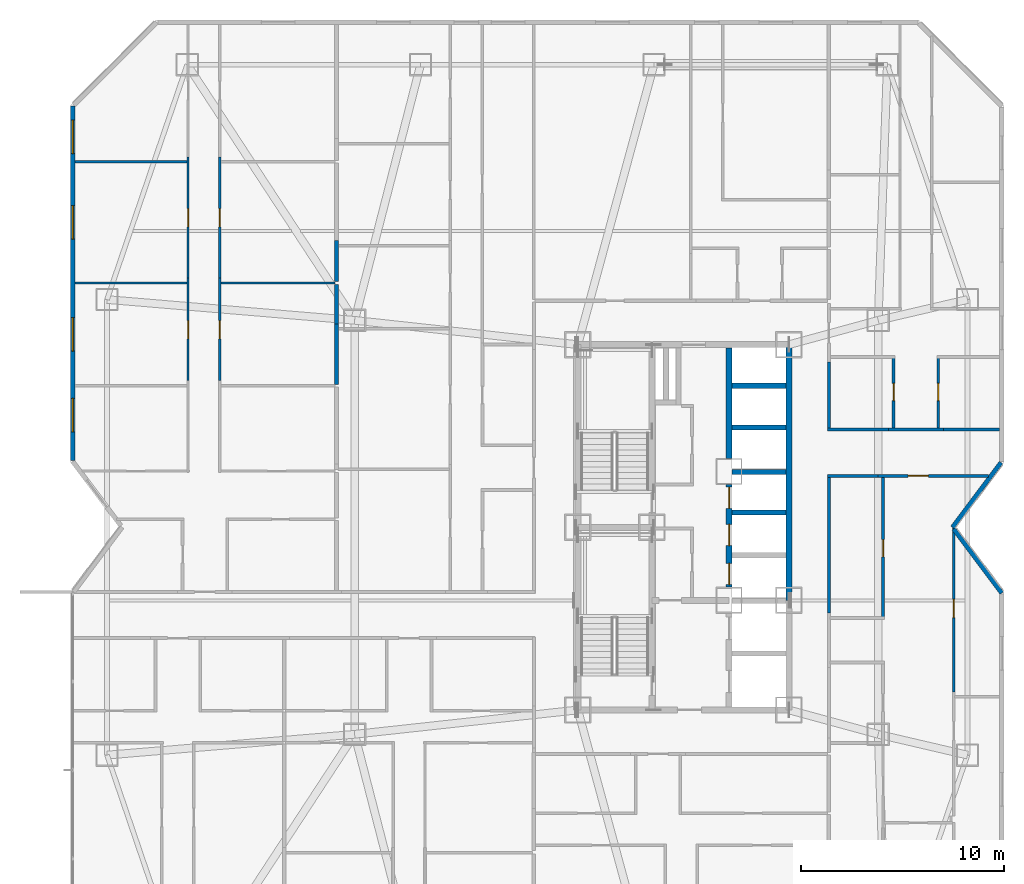
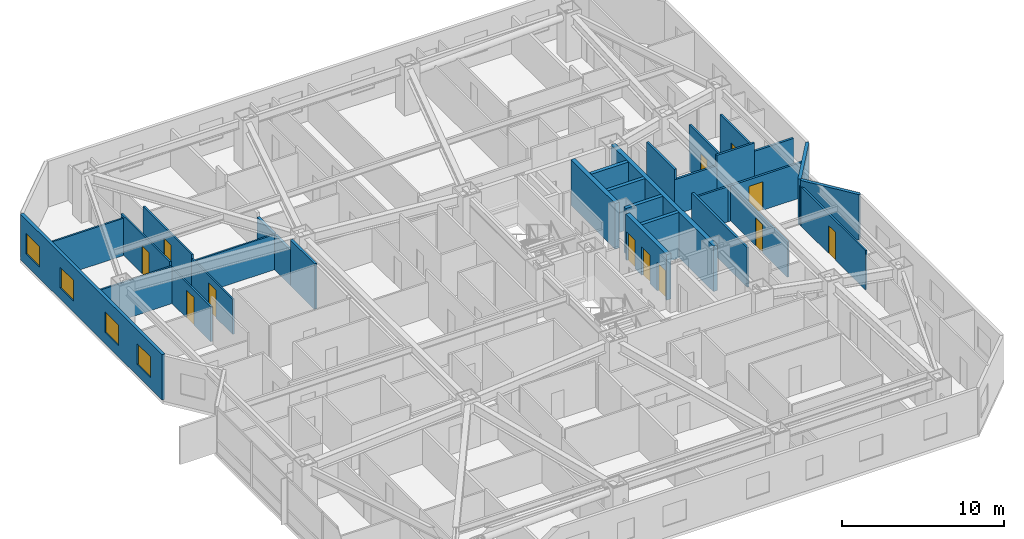
# One storey, part 15 of 19: 31 walls, 12 doors, 4 windows, 16 openings.
"""IFC4 building model written with IfcOpenShell, lengths in metres."""

from ifc_helpers import new_model, si_unit, direction, frame, frame_2d, origin, place, context, subcontext, project, spatial, rectangle, extrude, material, layer, layer_set, type_object, element, fill, save


model = new_model("IFC4")

# Units and contexts
model_context = context("Model", 3, precision=1e-05, world=origin(), true_north=direction((0.0, 1.0)))
body_context = subcontext(model_context, "Body", "Model", "MODEL_VIEW")
ifc_project = project(units=[si_unit("LENGTHUNIT", "METRE"), si_unit("AREAUNIT", "SQUARE_METRE"), si_unit("VOLUMEUNIT", "CUBIC_METRE"), si_unit("PLANEANGLEUNIT", "RADIAN"), si_unit("MASSUNIT", "GRAM", prefix="KILO")], contexts=[model_context])

# Site, building, storey
site_placement = place(None, origin())
site = spatial("IfcSite", under=ifc_project, at=site_placement, CompositionType="ELEMENT")
building_placement = place(site_placement, origin())
building = spatial("IfcBuilding", under=site, at=building_placement, Name="Khamvora Tower", CompositionType="ELEMENT")
storey_placement = place(building_placement, frame((0.0, 0.0, 58.85009765625)))
storey = spatial("IfcBuildingStorey", under=building, at=storey_placement, Name="L14", CompositionType="ELEMENT", Elevation=58.85009765625)

# Wall
ifc_material_1 = material(Name="Concrete C50/60", Category="concrete")
ifc_layer_1 = layer(ifc_material_1, 0.300048828125)
ifc_layer_set_1 = layer_set([ifc_layer_1], Name="Concrete C50/60")
wall_type_1 = type_object("IfcWallType", Name="WAL-CORE-300", PredefinedType="SHEAR", material=ifc_layer_set_1)
wall_1_placement = place(storey_placement, frame((39.39990234375, 24.39990234375, 0.0), z_axis=(0.0, 0.0, 1.0), x_axis=(0.0, 1.0, 0.0)))
element("IfcWall", 1, at=wall_1_placement, inside=storey, type_object=wall_type_1, Name="L14 central core east north wall", PredefinedType="SHEAR", context=body_context, shape_type="SweptSolid", body=[
    extrude(rectangle(XDim=12.60009765625, YDim=0.300048828125, at=frame_2d((6.300048828125, 0.0))), origin(), (0.0, 0.0, 1.0), 3.429931640625),
])

# Wall, openings, doors
wall_2_placement = place(storey_placement, frame((36.449951171875, 25.050048828125, 0.0), z_axis=(0.0, 0.0, 1.0), x_axis=(0.0, 1.0, 0.0)))
wall_2 = element("IfcWall", 2, at=wall_2_placement, inside=storey, type_object=wall_type_1, Name="L14 central core lift bank central wall", PredefinedType="SHEAR", context=body_context, shape_type="SweptSolid", body=[
    extrude(rectangle(XDim=5.050048828125, YDim=0.300048828125, at=frame_2d((2.52490234375, 0.0))), origin(), (0.0, 0.0, 1.0), 3.429931640625),
])
opening_1_placement = place(wall_2_placement, frame((0.1201171875, 0.0, 0.0)))
opening_1 = element("IfcOpeningElement", 3, at=opening_1_placement, cuts=wall_2, Name="Opening LD-PL", PredefinedType="OPENING", context=body_context, shape_type="SweptSolid", body=[
    extrude(rectangle(XDim=1.050048828125, YDim=2.14990234375, at=frame_2d((0.52490234375, 1.074951171875))), frame((0.0, 0.159912109375, 0.0), z_axis=(0.0, -1.0, 0.0), x_axis=(1.0, 0.0, 0.0)), (0.0, 0.0, 1.0), 0.320068359375),
])
opening_2_placement = place(wall_2_placement, frame((2.044921875, 0.0, 0.0)))
opening_2 = element("IfcOpeningElement", 4, at=opening_2_placement, cuts=wall_2, Name="Opening LD-PL", PredefinedType="OPENING", context=body_context, shape_type="SweptSolid", body=[
    extrude(rectangle(XDim=1.050048828125, YDim=2.14990234375, at=frame_2d((0.52490234375, 1.074951171875))), frame((0.0, 0.159912109375, 0.0), z_axis=(0.0, -1.0, 0.0), x_axis=(1.0, 0.0, 0.0)), (0.0, 0.0, 1.0), 0.320068359375),
])
opening_3_placement = place(wall_2_placement, frame((3.8798828125, 0.0, 0.0)))
opening_3 = element("IfcOpeningElement", 5, at=opening_3_placement, cuts=wall_2, Name="Opening LD-PL", PredefinedType="OPENING", context=body_context, shape_type="SweptSolid", body=[
    extrude(rectangle(XDim=1.050048828125, YDim=2.14990234375, at=frame_2d((0.52490234375, 1.074951171875))), frame((0.0, 0.159912109375, 0.0), z_axis=(0.0, -1.0, 0.0), x_axis=(1.0, 0.0, 0.0)), (0.0, 0.0, 1.0), 0.320068359375),
])
ifc_material_2 = material(Name="Powder-Coated Steel and Hardwood Leaf", Category="steel")
door_type_1 = type_object("IfcDoorType", Name="DOR-LIFT-1050", OperationType="SLIDING_TO_LEFT", PredefinedType="DOOR", material=ifc_material_2)
door_1_placement = place(opening_1_placement, origin())
door_1 = element("IfcDoor", 6, at=door_1_placement, inside=storey, type_object=door_type_1, Name="L14 lift landing sliding door PL-01", OperationType="SLIDING_TO_LEFT", OverallHeight=2.14990234375, OverallWidth=1.050048828125, PredefinedType="DOOR", context=body_context, shape_type="SweptSolid", body=[
    extrude(rectangle(XDim=1.050048828125, YDim=2.14990234375, at=frame_2d((0.52490234375, 1.074951171875))), frame((0.0, 0.02490234375, 0.0), z_axis=(0.0, -1.0, 0.0), x_axis=(1.0, 0.0, 0.0)), (0.0, 0.0, 1.0), 0.050048828125),
])
fill(opening_1, door_1)
door_2_placement = place(opening_2_placement, origin())
door_2 = element("IfcDoor", 7, at=door_2_placement, inside=storey, type_object=door_type_1, Name="L14 lift landing sliding door PL-02", OperationType="SLIDING_TO_LEFT", OverallHeight=2.14990234375, OverallWidth=1.050048828125, PredefinedType="DOOR", context=body_context, shape_type="SweptSolid", body=[
    extrude(rectangle(XDim=1.050048828125, YDim=2.14990234375, at=frame_2d((0.52490234375, 1.074951171875))), frame((0.0, 0.02490234375, 0.0), z_axis=(0.0, -1.0, 0.0), x_axis=(1.0, 0.0, 0.0)), (0.0, 0.0, 1.0), 0.050048828125),
])
fill(opening_2, door_2)
door_3_placement = place(opening_3_placement, origin())
door_3 = element("IfcDoor", 8, at=door_3_placement, inside=storey, type_object=door_type_1, Name="L14 lift landing sliding door PL-03", OperationType="SLIDING_TO_LEFT", OverallHeight=2.14990234375, OverallWidth=1.050048828125, PredefinedType="DOOR", context=body_context, shape_type="SweptSolid", body=[
    extrude(rectangle(XDim=1.050048828125, YDim=2.14990234375, at=frame_2d((0.52490234375, 1.074951171875))), frame((0.0, 0.02490234375, 0.0), z_axis=(0.0, -1.0, 0.0), x_axis=(1.0, 0.0, 0.0)), (0.0, 0.0, 1.0), 0.050048828125),
])
fill(opening_3, door_3)

# Wall
wall_3_placement = place(storey_placement, frame((36.449951171875, 31.39990234375, 0.0), z_axis=(0.0, 0.0, 1.0), x_axis=(0.0, 1.0, 0.0)))
element("IfcWall", 9, at=wall_3_placement, inside=storey, type_object=wall_type_1, Name="L14 central core lift bank north wall", PredefinedType="SHEAR", context=body_context, shape_type="SweptSolid", body=[
    extrude(rectangle(XDim=5.446044921875, YDim=0.300048828125, at=frame_2d((2.72314453125, 0.0))), origin(), (0.0, 0.0, 1.0), 3.429931640625),
])

# Wall, opening, door
ifc_material_3 = material(Name="Fire-Rated Drywall and Steel Stud", Category="steel")
ifc_layer_2 = layer(ifc_material_3, 0.14990234375)
ifc_layer_set_2 = layer_set([ifc_layer_2], Name="Fire-Rated Drywall and Steel Stud")
wall_type_2 = type_object("IfcWallType", Name="WAL-CORR-150", PredefinedType="STANDARD", material=ifc_layer_set_2)
wall_4_placement = place(storey_placement, frame((49.236083984375, 30.534912109375, 0.0), z_axis=(0.0, 0.0, 1.0), x_axis=(-1.0, 0.0, 0.0)))
wall_4 = element("IfcWall", 10, at=wall_4_placement, inside=storey, type_object=wall_type_2, Name="L14 interior partition wall 033", PredefinedType="STANDARD", context=body_context, shape_type="SweptSolid", body=[
    extrude(rectangle(XDim=5.447021484375, YDim=0.14990234375, at=frame_2d((2.7236328125, 0.0))), origin(), (0.0, 0.0, 1.0), 2.64697265625),
])
opening_4_placement = place(wall_4_placement, frame((2.9580078125, 0.0, 0.0)))
opening_4 = element("IfcOpeningElement", 11, at=opening_4_placement, cuts=wall_4, Name="Opening D-U1", PredefinedType="OPENING", context=body_context, shape_type="SweptSolid", body=[
    extrude(rectangle(XDim=1.0, YDim=2.14990234375, at=frame_2d((0.5, 1.074951171875))), frame((0.0, 0.0849609375, 0.0), z_axis=(0.0, -1.0, 0.0), x_axis=(1.0, 0.0, 0.0)), (0.0, 0.0, 1.0), 0.169921875),
])
door_type_2 = type_object("IfcDoorType", Name="DOR-UNIT-1000", OperationType="NOTDEFINED", PredefinedType="DOOR", material=ifc_material_2)
door_4_placement = place(opening_4_placement, origin())
door_4 = element("IfcDoor", 12, at=door_4_placement, inside=storey, type_object=door_type_2, Name="L14 interior door COR-14EAH", OperationType="SINGLE_SWING_LEFT", OverallHeight=2.14990234375, OverallWidth=1.0, PredefinedType="DOOR", context=body_context, shape_type="SweptSolid", body=[
    extrude(rectangle(XDim=1.0, YDim=2.14990234375, at=frame_2d((0.5, 1.074951171875))), frame((0.0, 0.02490234375, 0.0), z_axis=(0.0, -1.0, 0.0), x_axis=(1.0, 0.0, 0.0)), (0.0, 0.0, 1.0), 0.050048828125),
])
fill(opening_4, door_4)

# Walls
wall_5_placement = place(storey_placement, frame((43.7890625, 30.534912109375, 0.0), z_axis=(0.0, 0.0, 1.0), x_axis=(-1.0, 0.0, 0.0)))
element("IfcWall", 13, at=wall_5_placement, inside=storey, type_object=wall_type_2, Name="L14 interior partition wall 036", PredefinedType="STANDARD", context=body_context, shape_type="SweptSolid", body=[
    extrude(rectangle(XDim=2.489013671875, YDim=0.14990234375, at=frame_2d((1.24462890625, 0.0))), origin(), (0.0, 0.0, 1.0), 2.64697265625),
])
wall_6_placement = place(storey_placement, frame((41.364990234375, 30.60009765625, 0.0), z_axis=(0.0, 0.0, 1.0), x_axis=(0.0, -1.0, 0.0)))
element("IfcWall", 14, at=wall_6_placement, inside=storey, type_object=wall_type_2, Name="L14 interior partition wall 037", PredefinedType="STANDARD", context=body_context, shape_type="SweptSolid", body=[
    extrude(rectangle(XDim=6.817138671875, YDim=0.14990234375, at=frame_2d((3.40869140625, 0.0))), origin(), (0.0, 0.0, 1.0), 2.9609375),
])
wall_7_placement = place(storey_placement, frame((44.31103515625, 32.81494140625, 0.0), z_axis=(0.0, 0.0, 1.0), x_axis=(1.0, 0.0, 0.0)))
element("IfcWall", 15, at=wall_7_placement, inside=storey, type_object=wall_type_2, Name="L14 interior partition wall 039", PredefinedType="STANDARD", context=body_context, shape_type="SweptSolid", body=[
    extrude(rectangle(XDim=2.697998046875, YDim=0.14990234375, at=frame_2d((1.34912109375, 0.0))), origin(), (0.0, 0.0, 1.0), 3.429931640625),
])
wall_8_placement = place(storey_placement, frame((41.364990234375, 36.14599609375, 0.0), z_axis=(0.0, 0.0, 1.0), x_axis=(0.0, -1.0, 0.0)))
element("IfcWall", 16, at=wall_8_placement, inside=storey, type_object=wall_type_2, Name="L14 interior partition wall 040", PredefinedType="STANDARD", context=body_context, shape_type="SweptSolid", body=[
    extrude(rectangle(XDim=3.39599609375, YDim=0.14990234375, at=frame_2d((1.697998046875, 0.0))), origin(), (0.0, 0.0, 1.0), 3.429931640625),
])
wall_9_placement = place(storey_placement, frame((41.300048828125, 32.81494140625, 0.0), z_axis=(0.0, 0.0, 1.0), x_axis=(1.0, 0.0, 0.0)))
element("IfcWall", 17, at=wall_9_placement, inside=storey, type_object=wall_type_2, Name="L14 interior partition wall 041", PredefinedType="STANDARD", context=body_context, shape_type="SweptSolid", body=[
    extrude(rectangle(XDim=3.010986328125, YDim=0.14990234375, at=frame_2d((1.50537109375, 0.0))), origin(), (0.0, 0.0, 1.0), 2.64697265625),
])
wall_10_placement = place(storey_placement, frame((47.009033203125, 32.81494140625, 0.0), z_axis=(0.0, 0.0, 1.0), x_axis=(1.0, 0.0, 0.0)))
element("IfcWall", 18, at=wall_10_placement, inside=storey, type_object=wall_type_2, Name="L14 interior partition wall 042", PredefinedType="STANDARD", context=body_context, shape_type="SweptSolid", body=[
    extrude(rectangle(XDim=2.779052734375, YDim=0.14990234375, at=frame_2d((1.3896484375, 0.0))), origin(), (0.0, 0.0, 1.0), 2.802978515625),
])
ifc_material_4 = material(Name="Acoustic Double-Stud Fire Wall", Category="gypsum")
ifc_layer_3 = layer(ifc_material_4, 0.179931640625)
ifc_layer_set_3 = layer_set([ifc_layer_3], Name="Acoustic Double-Stud Fire Wall")
wall_type_3 = type_object("IfcWallType", Name="WAL-CORR-180", PredefinedType="STANDARD", material=ifc_layer_set_3)
wall_11_placement = place(storey_placement, frame((17.10498046875, 38.029052734375, 0.0), z_axis=(0.0, 0.0, 1.0), x_axis=(0.0, -1.0, 0.0)))
element("IfcWall", 19, at=wall_11_placement, inside=storey, type_object=wall_type_3, Name="L14 interior partition wall 102", PredefinedType="STANDARD", context=body_context, shape_type="SweptSolid", body=[
    extrude(rectangle(XDim=2.97900390625, YDim=0.179931640625, at=frame_2d((1.489501953125, 0.0))), origin(), (0.0, 0.0, 1.0), 3.429931640625),
])
wall_12_placement = place(storey_placement, frame((17.10498046875, 39.97607421875, 0.0), z_axis=(0.0, 0.0, 1.0), x_axis=(0.0, -1.0, 0.0)))
element("IfcWall", 20, at=wall_12_placement, inside=storey, type_object=wall_type_3, Name="L14 interior partition wall 103", PredefinedType="STANDARD", context=body_context, shape_type="SweptSolid", body=[
    extrude(rectangle(XDim=1.947021484375, YDim=0.179931640625, at=frame_2d((0.9736328125, 0.0))), origin(), (0.0, 0.0, 1.0), 2.64697265625),
])
wall_13_placement = place(storey_placement, frame((17.10498046875, 42.1240234375, 0.0), z_axis=(0.0, 0.0, 1.0), x_axis=(0.0, -1.0, 0.0)))
element("IfcWall", 21, at=wall_13_placement, inside=storey, type_object=wall_type_3, Name="L14 interior partition wall 105", PredefinedType="STANDARD", context=body_context, shape_type="SweptSolid", body=[
    extrude(rectangle(XDim=2.01806640625, YDim=0.179931640625, at=frame_2d((1.009033203125, 0.0))), origin(), (0.0, 0.0, 1.0), 2.64697265625),
])

# Wall, openings, windows
ifc_material_5 = material(Name="Precast concrete C40/50", Category="concrete")
ifc_layer_4 = layer(ifc_material_5, 0.219970703125)
ifc_layer_set_4 = layer_set([ifc_layer_4], Name="Precast concrete C40/50")
wall_type_4 = type_object("IfcWallType", Name="WAL-EXT-220", PredefinedType="STANDARD", material=ifc_layer_set_4)
wall_14_placement = place(storey_placement, frame((4.110107421875, 31.294921875, 0.0), z_axis=(0.0, 0.0, 1.0), x_axis=(0.0, 1.0, 0.0)))
wall_14 = element("IfcWall", 22, at=wall_14_placement, inside=storey, type_object=wall_type_4, Name="L14 exterior facade wall 05.1", PredefinedType="STANDARD", context=body_context, shape_type="SweptSolid", body=[
    extrude(rectangle(XDim=17.458984375, YDim=0.219970703125, at=frame_2d((8.7294921875, 0.0))), origin(), (0.0, 0.0, 1.0), 3.429931640625),
])
opening_5_placement = place(wall_14_placement, frame((1.412109375, 0.0, 0.85009765625)))
opening_5 = element("IfcOpeningElement", 23, at=opening_5_placement, cuts=wall_14, Name="Opening WN-06", PredefinedType="OPENING", context=body_context, shape_type="SweptSolid", body=[
    extrude(rectangle(XDim=1.64990234375, YDim=1.550048828125, at=frame_2d((0.824951171875, 0.77490234375))), frame((0.0, 0.119873046875, 0.0), z_axis=(0.0, -1.0, 0.0), x_axis=(1.0, 0.0, 0.0)), (0.0, 0.0, 1.0), 0.239990234375),
])
opening_6_placement = place(wall_14_placement, frame((5.39306640625, 0.0, 0.85009765625)))
opening_6 = element("IfcOpeningElement", 24, at=opening_6_placement, cuts=wall_14, Name="Opening WN-06", PredefinedType="OPENING", context=body_context, shape_type="SweptSolid", body=[
    extrude(rectangle(XDim=1.64990234375, YDim=1.550048828125, at=frame_2d((0.824951171875, 0.77490234375))), frame((0.0, 0.119873046875, 0.0), z_axis=(0.0, -1.0, 0.0), x_axis=(1.0, 0.0, 0.0)), (0.0, 0.0, 1.0), 0.239990234375),
])
opening_7_placement = place(wall_14_placement, frame((10.906005859375, 0.0, 0.85009765625)))
opening_7 = element("IfcOpeningElement", 25, at=opening_7_placement, cuts=wall_14, Name="Opening WN-06", PredefinedType="OPENING", context=body_context, shape_type="SweptSolid", body=[
    extrude(rectangle(XDim=1.64990234375, YDim=1.550048828125, at=frame_2d((0.824951171875, 0.77490234375))), frame((0.0, 0.119873046875, 0.0), z_axis=(0.0, -1.0, 0.0), x_axis=(1.0, 0.0, 0.0)), (0.0, 0.0, 1.0), 0.239990234375),
])
opening_8_placement = place(wall_14_placement, frame((15.118896484375, 0.0, 0.85009765625)))
opening_8 = element("IfcOpeningElement", 26, at=opening_8_placement, cuts=wall_14, Name="Opening WN-06", PredefinedType="OPENING", context=body_context, shape_type="SweptSolid", body=[
    extrude(rectangle(XDim=1.64990234375, YDim=1.550048828125, at=frame_2d((0.824951171875, 0.77490234375))), frame((0.0, 0.119873046875, 0.0), z_axis=(0.0, -1.0, 0.0), x_axis=(1.0, 0.0, 0.0)), (0.0, 0.0, 1.0), 0.239990234375),
])
ifc_material_6 = material(Name="Low-E Laminated Double Glazing", Category="glass")
window_type = type_object("IfcWindowType", Name="WIN-VIS-1650x1550", PartitioningType="SINGLE_PANEL", PredefinedType="WINDOW", material=ifc_material_6)
window_1_placement = place(opening_5_placement, origin())
window_1 = element("IfcWindow", 27, at=window_1_placement, inside=storey, type_object=window_type, Name="L14 vision window 05.1.01", OverallHeight=1.550048828125, OverallWidth=1.64990234375, PartitioningType="SINGLE_PANEL", PredefinedType="WINDOW", context=body_context, shape_type="SweptSolid", body=[
    extrude(rectangle(XDim=1.64990234375, YDim=1.550048828125, at=frame_2d((0.824951171875, 0.77490234375))), frame((0.0, 0.030029296875, 0.0), z_axis=(0.0, -1.0, 0.0), x_axis=(1.0, 0.0, 0.0)), (0.0, 0.0, 1.0), 0.06005859375),
])
fill(opening_5, window_1)
window_2_placement = place(opening_6_placement, origin())
window_2 = element("IfcWindow", 28, at=window_2_placement, inside=storey, type_object=window_type, Name="L14 vision window 05.1.02", OverallHeight=1.550048828125, OverallWidth=1.64990234375, PartitioningType="SINGLE_PANEL", PredefinedType="WINDOW", context=body_context, shape_type="SweptSolid", body=[
    extrude(rectangle(XDim=1.64990234375, YDim=1.550048828125, at=frame_2d((0.824951171875, 0.77490234375))), frame((0.0, 0.030029296875, 0.0), z_axis=(0.0, -1.0, 0.0), x_axis=(1.0, 0.0, 0.0)), (0.0, 0.0, 1.0), 0.06005859375),
])
fill(opening_6, window_2)
window_3_placement = place(opening_7_placement, origin())
window_3 = element("IfcWindow", 29, at=window_3_placement, inside=storey, type_object=window_type, Name="L14 vision window 05.1.03", OverallHeight=1.550048828125, OverallWidth=1.64990234375, PartitioningType="SINGLE_PANEL", PredefinedType="WINDOW", context=body_context, shape_type="SweptSolid", body=[
    extrude(rectangle(XDim=1.64990234375, YDim=1.550048828125, at=frame_2d((0.824951171875, 0.77490234375))), frame((0.0, 0.030029296875, 0.0), z_axis=(0.0, -1.0, 0.0), x_axis=(1.0, 0.0, 0.0)), (0.0, 0.0, 1.0), 0.06005859375),
])
fill(opening_7, window_3)
window_4_placement = place(opening_8_placement, origin())
window_4 = element("IfcWindow", 30, at=window_4_placement, inside=storey, type_object=window_type, Name="L14 vision window 05.1.04", OverallHeight=1.550048828125, OverallWidth=1.64990234375, PartitioningType="SINGLE_PANEL", PredefinedType="WINDOW", context=body_context, shape_type="SweptSolid", body=[
    extrude(rectangle(XDim=1.64990234375, YDim=1.550048828125, at=frame_2d((0.824951171875, 0.77490234375))), frame((0.0, 0.030029296875, 0.0), z_axis=(0.0, -1.0, 0.0), x_axis=(1.0, 0.0, 0.0)), (0.0, 0.0, 1.0), 0.06005859375),
])
fill(opening_8, window_4)

# Walls
wall_15_placement = place(storey_placement, frame((49.85595703125, 31.19091796875, 0.0), z_axis=(0.0, 0.0, 1.0), x_axis=(-0.600137081448, -0.799897170561, 0.0)))
element("IfcWall", 31, at=wall_15_placement, inside=storey, type_object=wall_type_4, Name="L14 exterior facade wall 10.1", PredefinedType="STANDARD", context=body_context, shape_type="SweptSolid", body=[
    extrude(rectangle(XDim=3.9892578125, YDim=0.219970703125, at=frame_2d((1.99462890625, 0.0))), origin(), (0.0, 0.0, 1.0), 3.429931640625),
])
wall_16_placement = place(storey_placement, frame((47.51904296875, 27.923095703125, 0.0), z_axis=(0.0, 0.0, 1.0), x_axis=(0.600118645218, -0.799911002338, 0.0)))
element("IfcWall", 32, at=wall_16_placement, inside=storey, type_object=wall_type_4, Name="L14 exterior facade wall 11.1", PredefinedType="STANDARD", context=body_context, shape_type="SweptSolid", body=[
    extrude(rectangle(XDim=3.95068359375, YDim=0.219970703125, at=frame_2d((1.975341796875, 0.0))), origin(), (0.0, 0.0, 1.0), 3.429931640625),
])

# Wall, opening, door
ifc_material_7 = material(Name="Gypsum Plasterboard Partition", Category="gypsum")
ifc_layer_5 = layer(ifc_material_7, 0.1201171875)
ifc_layer_set_5 = layer_set([ifc_layer_5], Name="Gypsum Plasterboard Partition")
wall_type_5 = type_object("IfcWallType", Name="WAL-PART-120", PredefinedType="PARTITIONING", material=ifc_layer_set_5)
wall_17_placement = place(storey_placement, frame((9.7900390625, 35.23388671875, 0.0), z_axis=(0.0, 0.0, 1.0), x_axis=(0.0, 1.0, 0.0)))
wall_17 = element("IfcWall", 33, at=wall_17_placement, inside=storey, type_object=wall_type_5, Name="L14 interior partition wall 085", PredefinedType="PARTITIONING", context=body_context, shape_type="SweptSolid", body=[
    extrude(rectangle(XDim=5.05615234375, YDim=0.1201171875, at=frame_2d((2.528076171875, 0.0))), origin(), (0.0, 0.0, 1.0), 2.64697265625),
])
opening_9_placement = place(wall_17_placement, frame((2.056884765625, 0.0, 0.0)))
opening_9 = element("IfcOpeningElement", 34, at=opening_9_placement, cuts=wall_17, Name="Opening D-RM1", PredefinedType="OPENING", context=body_context, shape_type="SweptSolid", body=[
    extrude(rectangle(XDim=0.89990234375, YDim=2.10009765625, at=frame_2d((0.449951171875, 1.050048828125))), frame((0.0, 0.070068359375, 0.0), z_axis=(0.0, -1.0, 0.0), x_axis=(1.0, 0.0, 0.0)), (0.0, 0.0, 1.0), 0.14013671875),
])
door_type_3 = type_object("IfcDoorType", Name="DOR-ROOM-900", OperationType="NOTDEFINED", PredefinedType="DOOR", material=ifc_material_2)
door_5_placement = place(opening_9_placement, origin())
door_5 = element("IfcDoor", 35, at=door_5_placement, inside=storey, type_object=door_type_3, Name="L14 interior door 14WBH-14WBR2", OperationType="SINGLE_SWING_LEFT", OverallHeight=2.10009765625, OverallWidth=0.89990234375, PredefinedType="DOOR", context=body_context, shape_type="SweptSolid", body=[
    extrude(rectangle(XDim=0.89990234375, YDim=2.10009765625, at=frame_2d((0.449951171875, 1.050048828125))), frame((0.0, 0.02490234375, 0.0), z_axis=(0.0, -1.0, 0.0), x_axis=(1.0, 0.0, 0.0)), (0.0, 0.0, 1.0), 0.050048828125),
])
fill(opening_9, door_5)

wall_18_placement = place(storey_placement, frame((9.7900390625, 40.2900390625, 0.0), z_axis=(0.0, 0.0, 1.0), x_axis=(0.0, 1.0, 0.0)))
wall_18 = element("IfcWall", 36, at=wall_18_placement, inside=storey, type_object=wall_type_5, Name="L14 interior partition wall 086", PredefinedType="PARTITIONING", context=body_context, shape_type="SweptSolid", body=[
    extrude(rectangle(XDim=5.968994140625, YDim=0.1201171875, at=frame_2d((2.984375, 0.0))), origin(), (0.0, 0.0, 1.0), 2.9609375),
])
opening_10_placement = place(wall_18_placement, frame((2.512939453125, 0.0, 0.0)))
opening_10 = element("IfcOpeningElement", 37, at=opening_10_placement, cuts=wall_18, Name="Opening D-RM1", PredefinedType="OPENING", context=body_context, shape_type="SweptSolid", body=[
    extrude(rectangle(XDim=0.89990234375, YDim=2.10009765625, at=frame_2d((0.449951171875, 1.050048828125))), frame((0.0, 0.070068359375, 0.0), z_axis=(0.0, -1.0, 0.0), x_axis=(1.0, 0.0, 0.0)), (0.0, 0.0, 1.0), 0.14013671875),
])
door_6_placement = place(opening_10_placement, origin())
door_6 = element("IfcDoor", 38, at=door_6_placement, inside=storey, type_object=door_type_3, Name="L14 interior door 14WBH-14WBR3", OperationType="SINGLE_SWING_RIGHT", OverallHeight=2.10009765625, OverallWidth=0.89990234375, PredefinedType="DOOR", context=body_context, shape_type="SweptSolid", body=[
    extrude(rectangle(XDim=0.89990234375, YDim=2.10009765625, at=frame_2d((0.449951171875, 1.050048828125))), frame((0.0, 0.02490234375, 0.0), z_axis=(0.0, -1.0, 0.0), x_axis=(1.0, 0.0, 0.0)), (0.0, 0.0, 1.0), 0.050048828125),
])
fill(opening_10, door_6)

wall_19_placement = place(storey_placement, frame((11.360107421875, 40.2900390625, 0.0), z_axis=(0.0, 0.0, 1.0), x_axis=(0.0, -1.0, 0.0)))
wall_19 = element("IfcWall", 39, at=wall_19_placement, inside=storey, type_object=wall_type_5, Name="L14 interior partition wall 090", PredefinedType="PARTITIONING", context=body_context, shape_type="SweptSolid", body=[
    extrude(rectangle(XDim=5.05615234375, YDim=0.1201171875, at=frame_2d((2.528076171875, 0.0))), origin(), (0.0, 0.0, 1.0), 2.64697265625),
])
opening_11_placement = place(wall_19_placement, frame((2.09912109375, 0.0, 0.0)))
opening_11 = element("IfcOpeningElement", 40, at=opening_11_placement, cuts=wall_19, Name="Opening D-RM1", PredefinedType="OPENING", context=body_context, shape_type="SweptSolid", body=[
    extrude(rectangle(XDim=0.89990234375, YDim=2.10009765625, at=frame_2d((0.449951171875, 1.050048828125))), frame((0.0, 0.070068359375, 0.0), z_axis=(0.0, -1.0, 0.0), x_axis=(1.0, 0.0, 0.0)), (0.0, 0.0, 1.0), 0.14013671875),
])
door_7_placement = place(opening_11_placement, origin())
door_7 = element("IfcDoor", 41, at=door_7_placement, inside=storey, type_object=door_type_3, Name="L14 interior door 14WBH-14WBR6", OperationType="SINGLE_SWING_LEFT", OverallHeight=2.10009765625, OverallWidth=0.89990234375, PredefinedType="DOOR", context=body_context, shape_type="SweptSolid", body=[
    extrude(rectangle(XDim=0.89990234375, YDim=2.10009765625, at=frame_2d((0.449951171875, 1.050048828125))), frame((0.0, 0.02490234375, 0.0), z_axis=(0.0, -1.0, 0.0), x_axis=(1.0, 0.0, 0.0)), (0.0, 0.0, 1.0), 0.050048828125),
])
fill(opening_11, door_7)

wall_20_placement = place(storey_placement, frame((11.360107421875, 46.259033203125, 0.0), z_axis=(0.0, 0.0, 1.0), x_axis=(0.0, -1.0, 0.0)))
wall_20 = element("IfcWall", 42, at=wall_20_placement, inside=storey, type_object=wall_type_5, Name="L14 interior partition wall 091", PredefinedType="PARTITIONING", context=body_context, shape_type="SweptSolid", body=[
    extrude(rectangle(XDim=5.968994140625, YDim=0.1201171875, at=frame_2d((2.984375, 0.0))), origin(), (0.0, 0.0, 1.0), 2.9609375),
])
opening_12_placement = place(wall_20_placement, frame((2.554931640625, 0.0, 0.0)))
opening_12 = element("IfcOpeningElement", 43, at=opening_12_placement, cuts=wall_20, Name="Opening D-RM1", PredefinedType="OPENING", context=body_context, shape_type="SweptSolid", body=[
    extrude(rectangle(XDim=0.89990234375, YDim=2.10009765625, at=frame_2d((0.449951171875, 1.050048828125))), frame((0.0, 0.070068359375, 0.0), z_axis=(0.0, -1.0, 0.0), x_axis=(1.0, 0.0, 0.0)), (0.0, 0.0, 1.0), 0.14013671875),
])
door_8_placement = place(opening_12_placement, origin())
door_8 = element("IfcDoor", 44, at=door_8_placement, inside=storey, type_object=door_type_3, Name="L14 interior door 14WBH-14WBR7", OperationType="SINGLE_SWING_RIGHT", OverallHeight=2.10009765625, OverallWidth=0.89990234375, PredefinedType="DOOR", context=body_context, shape_type="SweptSolid", body=[
    extrude(rectangle(XDim=0.89990234375, YDim=2.10009765625, at=frame_2d((0.449951171875, 1.050048828125))), frame((0.0, 0.02490234375, 0.0), z_axis=(0.0, -1.0, 0.0), x_axis=(1.0, 0.0, 0.0)), (0.0, 0.0, 1.0), 0.050048828125),
])
fill(opening_12, door_8)

# Walls
for number, where, z_axis, x_axis, name in (
    (45, (4.2119140625, 40.041015625, 0.0), (0.0, 0.0, 1.0), (1.0, 0.0, 0.0), "L14 interior partition wall 096"),
    (46, (4.2119140625, 46.010009765625, 0.0), (0.0, 0.0, 1.0), (1.0, 0.0, 0.0), "L14 interior partition wall 097"),
):
    element("IfcWall", number, at=place(storey_placement, frame(where, z_axis=z_axis, x_axis=x_axis)), inside=storey, type_object=wall_type_5, Name=name, PredefinedType="PARTITIONING", context=body_context, shape_type="SweptSolid", body=[
        extrude(rectangle(XDim=5.524169921875, YDim=0.1201171875, at=frame_2d((2.76220703125, 0.0))), origin(), (0.0, 0.0, 1.0), 2.802978515625),
    ])
wall_21_placement = place(storey_placement, frame((11.4140625, 40.041015625, 0.0), z_axis=(0.0, 0.0, 1.0), x_axis=(1.0, 0.0, 0.0)))
element("IfcWall", 47, at=wall_21_placement, inside=storey, type_object=wall_type_5, Name="L14 interior partition wall 101", PredefinedType="PARTITIONING", context=body_context, shape_type="SweptSolid", body=[
    extrude(rectangle(XDim=5.6259765625, YDim=0.1201171875, at=frame_2d((2.81298828125, 0.0))), origin(), (0.0, 0.0, 1.0), 2.64697265625),
])

# Wall, opening, door
wall_22_placement = place(storey_placement, frame((47.51806640625, 28.097900390625, 0.0), z_axis=(0.0, 0.0, 1.0), x_axis=(0.0, -1.0, 0.0)))
wall_22 = element("IfcWall", 48, at=wall_22_placement, inside=storey, type_object=wall_type_5, Name="L14 interior partition wall 160", PredefinedType="PARTITIONING", context=body_context, shape_type="SweptSolid", body=[
    extrude(rectangle(XDim=8.203857421875, YDim=0.1201171875, at=frame_2d((4.10205078125, 0.0))), origin(), (0.0, 0.0, 1.0), 2.9609375),
])
opening_13_placement = place(wall_22_placement, frame((3.652099609375, 0.0, 0.0)))
opening_13 = element("IfcOpeningElement", 49, at=opening_13_placement, cuts=wall_22, Name="Opening D-RM1", PredefinedType="OPENING", context=body_context, shape_type="SweptSolid", body=[
    extrude(rectangle(XDim=0.89990234375, YDim=2.10009765625, at=frame_2d((0.449951171875, 1.050048828125))), frame((0.0, 0.070068359375, 0.0), z_axis=(0.0, -1.0, 0.0), x_axis=(1.0, 0.0, 0.0)), (0.0, 0.0, 1.0), 0.14013671875),
])
door_9_placement = place(opening_13_placement, origin())
door_9 = element("IfcDoor", 50, at=door_9_placement, inside=storey, type_object=door_type_3, Name="L14 interior door 14EAH-14EAR3", OperationType="SINGLE_SWING_LEFT", OverallHeight=2.10009765625, OverallWidth=0.89990234375, PredefinedType="DOOR", context=body_context, shape_type="SweptSolid", body=[
    extrude(rectangle(XDim=0.89990234375, YDim=2.10009765625, at=frame_2d((0.449951171875, 1.050048828125))), frame((0.0, 0.02490234375, 0.0), z_axis=(0.0, -1.0, 0.0), x_axis=(1.0, 0.0, 0.0)), (0.0, 0.0, 1.0), 0.050048828125),
])
fill(opening_13, door_9)

# Walls
ifc_material_8 = material(Name="Concrete C40/50", Category="concrete")
ifc_layer_6 = layer(ifc_material_8, 0.25)
ifc_layer_set_6 = layer_set([ifc_layer_6], Name="Concrete C40/50")
wall_type_6 = type_object("IfcWallType", Name="WAL-PODS-250", PredefinedType="SHEAR", material=ifc_layer_set_6)
for number, where, z_axis, x_axis, name in (
    (51, (36.60400390625, 28.72509765625, 0.0), (0.0, 0.0, 1.0), (1.0, 0.0, 0.0), "L14 lift shaft divider wall PL-02"),
    (52, (36.60400390625, 30.72509765625, 0.0), (0.0, 0.0, 1.0), (1.0, 0.0, 0.0), "L14 lift shaft divider wall PL-03"),
    (53, (36.60400390625, 32.925048828125, 0.0), (0.0, 0.0, 1.0), (1.0, 0.0, 0.0), "L14 lift shaft divider wall PH-01"),
    (54, (36.60400390625, 34.97509765625, 0.0), (0.0, 0.0, 1.0), (1.0, 0.0, 0.0), "L14 lift shaft divider wall PH-02"),
):
    element("IfcWall", number, at=place(storey_placement, frame(where, z_axis=z_axis, x_axis=x_axis)), inside=storey, type_object=wall_type_6, Name=name, PredefinedType="SHEAR", context=body_context, shape_type="SweptSolid", body=[
        extrude(rectangle(XDim=2.64208984375, YDim=0.25, at=frame_2d((1.321044921875, 0.0))), origin(), (0.0, 0.0, 1.0), 3.429931640625),
    ])

# Wall, opening, door
ifc_material_9 = material(Name="Moisture-Resistant Plasterboard Partition", Category="gypsum")
ifc_layer_7 = layer(ifc_material_9, 0.135009765625)
ifc_layer_set_7 = layer_set([ifc_layer_7], Name="Moisture-Resistant Plasterboard Partition")
wall_type_7 = type_object("IfcWallType", Name="WAL-WET-135", PredefinedType="PARTITIONING", material=ifc_layer_set_7)
wall_23_placement = place(storey_placement, frame((44.0380859375, 23.468994140625, 0.0), z_axis=(0.0, 0.0, 1.0), x_axis=(0.0, 1.0, 0.0)))
wall_23 = element("IfcWall", 55, at=wall_23_placement, inside=storey, type_object=wall_type_7, Name="L14 interior partition wall 158", PredefinedType="PARTITIONING", context=body_context, shape_type="SweptSolid", body=[
    extrude(rectangle(XDim=7.0009765625, YDim=0.135009765625, at=frame_2d((3.50048828125, 0.0))), origin(), (0.0, 0.0, 1.0), 2.64697265625),
])
opening_14_placement = place(wall_23_placement, frame((3.075927734375, 0.0, 0.0)))
opening_14 = element("IfcOpeningElement", 56, at=opening_14_placement, cuts=wall_23, Name="Opening D-RM2", PredefinedType="OPENING", context=body_context, shape_type="SweptSolid", body=[
    extrude(rectangle(XDim=0.85009765625, YDim=2.10009765625, at=frame_2d((0.425048828125, 1.050048828125))), frame((0.0, 0.077392578125, 0.0), z_axis=(0.0, -1.0, 0.0), x_axis=(1.0, 0.0, 0.0)), (0.0, 0.0, 1.0), 0.155029296875),
])
door_type_4 = type_object("IfcDoorType", Name="DOR-ROOM-850", OperationType="NOTDEFINED", PredefinedType="DOOR", material=ifc_material_2)
door_10_placement = place(opening_14_placement, origin())
door_10 = element("IfcDoor", 57, at=door_10_placement, inside=storey, type_object=door_type_4, Name="L14 interior door 14EAH-14EAK", OperationType="SINGLE_SWING_RIGHT", OverallHeight=2.10009765625, OverallWidth=0.85009765625, PredefinedType="DOOR", context=body_context, shape_type="SweptSolid", body=[
    extrude(rectangle(XDim=0.85009765625, YDim=2.10009765625, at=frame_2d((0.425048828125, 1.050048828125))), frame((0.0, 0.02490234375, 0.0), z_axis=(0.0, -1.0, 0.0), x_axis=(1.0, 0.0, 0.0)), (0.0, 0.0, 1.0), 0.050048828125),
])
fill(opening_14, door_10)

wall_24_placement = place(storey_placement, frame((44.56005859375, 32.8798828125, 0.0), z_axis=(0.0, 0.0, 1.0), x_axis=(0.0, 1.0, 0.0)))
wall_24 = element("IfcWall", 58, at=wall_24_placement, inside=storey, type_object=wall_type_7, Name="L14 interior partition wall 165", PredefinedType="PARTITIONING", context=body_context, shape_type="SweptSolid", body=[
    extrude(rectangle(XDim=3.580078125, YDim=0.135009765625, at=frame_2d((1.7900390625, 0.0))), origin(), (0.0, 0.0, 1.0), 3.429931640625),
])
opening_15_placement = place(wall_24_placement, frame((1.364990234375, 0.0, 0.0)))
opening_15 = element("IfcOpeningElement", 59, at=opening_15_placement, cuts=wall_24, Name="Opening D-WC1", PredefinedType="OPENING", context=body_context, shape_type="SweptSolid", body=[
    extrude(rectangle(XDim=0.85009765625, YDim=2.10009765625, at=frame_2d((0.425048828125, 1.050048828125))), frame((0.0, 0.077392578125, 0.0), z_axis=(0.0, -1.0, 0.0), x_axis=(1.0, 0.0, 0.0)), (0.0, 0.0, 1.0), 0.155029296875),
])
door_type_5 = type_object("IfcDoorType", Name="DOR-WET-850", OperationType="NOTDEFINED", PredefinedType="DOOR", material=ifc_material_2)
door_11_placement = place(opening_15_placement, origin())
door_11 = element("IfcDoor", 60, at=door_11_placement, inside=storey, type_object=door_type_5, Name="L14 interior door 14ECH-14ECB", OperationType="SINGLE_SWING_RIGHT", OverallHeight=2.10009765625, OverallWidth=0.85009765625, PredefinedType="DOOR", context=body_context, shape_type="SweptSolid", body=[
    extrude(rectangle(XDim=0.85009765625, YDim=2.10009765625, at=frame_2d((0.425048828125, 1.050048828125))), frame((0.0, 0.02490234375, 0.0), z_axis=(0.0, -1.0, 0.0), x_axis=(1.0, 0.0, 0.0)), (0.0, 0.0, 1.0), 0.050048828125),
])
fill(opening_15, door_11)

wall_25_placement = place(storey_placement, frame((46.760009765625, 36.4599609375, 0.0), z_axis=(0.0, 0.0, 1.0), x_axis=(0.0, -1.0, 0.0)))
wall_25 = element("IfcWall", 61, at=wall_25_placement, inside=storey, type_object=wall_type_7, Name="L14 interior partition wall 168", PredefinedType="PARTITIONING", context=body_context, shape_type="SweptSolid", body=[
    extrude(rectangle(XDim=3.580078125, YDim=0.135009765625, at=frame_2d((1.7900390625, 0.0))), origin(), (0.0, 0.0, 1.0), 3.429931640625),
])
opening_16_placement = place(wall_25_placement, frame((1.364990234375, 0.0, 0.0)))
opening_16 = element("IfcOpeningElement", 62, at=opening_16_placement, cuts=wall_25, Name="Opening D-RM2", PredefinedType="OPENING", context=body_context, shape_type="SweptSolid", body=[
    extrude(rectangle(XDim=0.85009765625, YDim=2.10009765625, at=frame_2d((0.425048828125, 1.050048828125))), frame((0.0, 0.077392578125, 0.0), z_axis=(0.0, -1.0, 0.0), x_axis=(1.0, 0.0, 0.0)), (0.0, 0.0, 1.0), 0.155029296875),
])
door_12_placement = place(opening_16_placement, origin())
door_12 = element("IfcDoor", 63, at=door_12_placement, inside=storey, type_object=door_type_4, Name="L14 interior door 14ECH-14ECK", OperationType="SINGLE_SWING_LEFT", OverallHeight=2.10009765625, OverallWidth=0.85009765625, PredefinedType="DOOR", context=body_context, shape_type="SweptSolid", body=[
    extrude(rectangle(XDim=0.85009765625, YDim=2.10009765625, at=frame_2d((0.425048828125, 1.050048828125))), frame((0.0, 0.02490234375, 0.0), z_axis=(0.0, -1.0, 0.0), x_axis=(1.0, 0.0, 0.0)), (0.0, 0.0, 1.0), 0.050048828125),
])
fill(opening_16, door_12)

save(model, "model.ifc")
